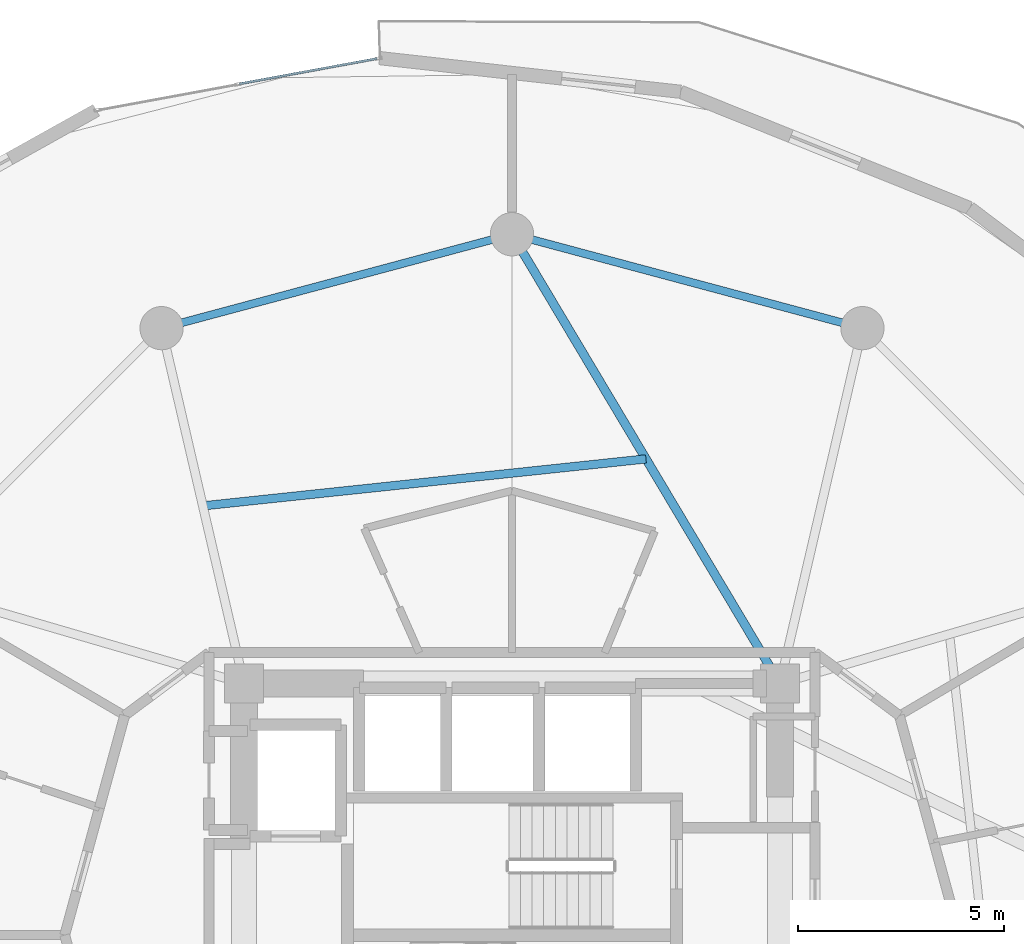
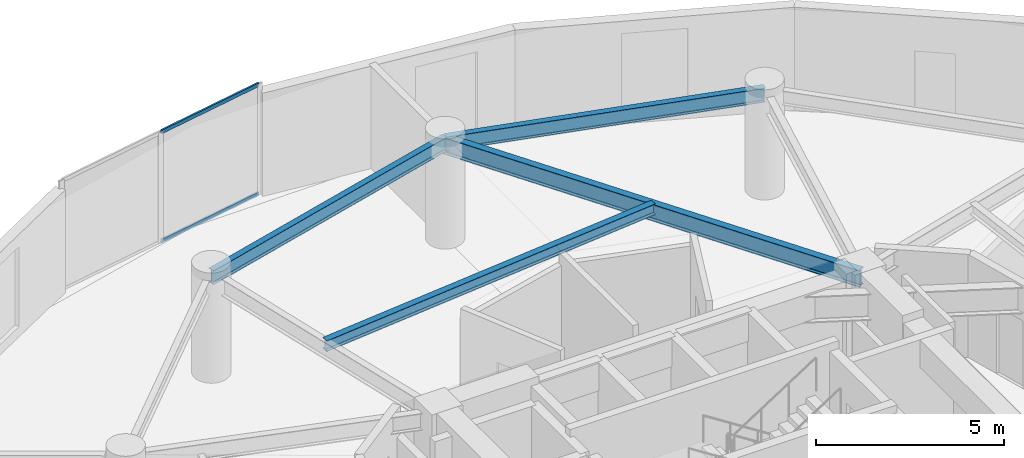
# One storey, part 15 of 23: 4 beams, 2 members, 1 element without a shape of its own.
"""IFC4 building model written with IfcOpenShell, lengths in metres."""

from ifc_helpers import new_model, si_unit, direction, frame, origin, origin_2d, place, context, subcontext, project, spatial, hollow_rectangle, i_section, extrude, source, transform, mapped, material, layer, layer_set, material_profile, profile_set, type_object, element, aggregate, save


model = new_model("IFC4")

# Units and contexts
model_context = context("Model", 3, precision=1e-05, world=origin(), true_north=direction((0.0, 1.0)))
body_context = subcontext(model_context, "Body", "Model", "MODEL_VIEW")
ifc_project = project(units=[si_unit("LENGTHUNIT", "METRE"), si_unit("AREAUNIT", "SQUARE_METRE"), si_unit("VOLUMEUNIT", "CUBIC_METRE"), si_unit("PLANEANGLEUNIT", "RADIAN"), si_unit("MASSUNIT", "GRAM", prefix="KILO")], contexts=[model_context])

# Site, building, storey
site_placement = place(None, origin())
site = spatial("IfcSite", under=ifc_project, at=site_placement, CompositionType="ELEMENT")
building_placement = place(site_placement, origin())
building = spatial("IfcBuilding", under=site, at=building_placement, Name="Solvirekh Grand Hotel", CompositionType="ELEMENT")
storey_placement = place(building_placement, frame((0.0, 0.0, 109.800048828125)))
storey = spatial("IfcBuildingStorey", under=building, at=storey_placement, Name="L27", CompositionType="ELEMENT", Elevation=109.800048828125)

# Beams
ifc_material_1 = material(Name="Steel S355", Category="steel")
ifc_material_profile_1 = material_profile(ifc_material_1, i_section(OverallWidth=0.2119140625, OverallDepth=0.5439453125, WebThickness=0.011962890625, FlangeThickness=0.01904296875, FilletRadius=0.013916015625, at=origin_2d()), Name="W530X123")
ifc_profile_set_1 = profile_set([ifc_material_profile_1], Name="Steel S355")
beam_type_1 = type_object("IfcBeamType", Name="Beam_Radial_W530H", PredefinedType="BEAM", material=ifc_profile_set_1)
beam_1_placement = place(storey_placement, frame((6.5, 6.10009765625, 3.077880859375), z_axis=(-0.512179721377, 0.858878299301, 0.0), x_axis=(-0.858878299301, -0.512179721377, 0.0)))
element("IfcBeam", 1, at=beam_1_placement, inside=storey, type_object=beam_type_1, Name="L27 radial floor beam R04", PredefinedType="BEAM", context=body_context, shape_type="SweptSolid", body=[
    extrude(i_section(OverallWidth=0.2119140625, OverallDepth=0.5439453125, WebThickness=0.011962890625, FlangeThickness=0.01904296875, FilletRadius=0.013916015625, at=origin_2d()), origin(), (0.0, 0.0, 1.0), 12.69091796875),
])
ifc_material_profile_2 = material_profile(ifc_material_1, i_section(OverallWidth=0.2041015625, OverallDepth=0.35009765625, WebThickness=0.009033203125, FlangeThickness=0.014892578125, FilletRadius=0.010986328125, at=origin_2d()), Name="W360X72")
ifc_profile_set_2 = profile_set([ifc_material_profile_2], Name="Steel S355")
beam_type_2 = type_object("IfcBeamType", Name="Joist_Floor_W360", PredefinedType="JOIST", material=ifc_profile_set_2)
beam_2_placement = place(storey_placement, frame((3.25, 11.550048828125, 3.175048828125), z_axis=(-0.994432198761, -0.105378375714, 0.0), x_axis=(0.105378375714, -0.994432198761, 0.0)))
element("IfcBeam", 2, at=beam_2_placement, inside=storey, type_object=beam_type_2, Name="L27 secondary composite floor joist 4", PredefinedType="JOIST", context=body_context, shape_type="SweptSolid", body=[
    extrude(i_section(OverallWidth=0.2041015625, OverallDepth=0.35009765625, WebThickness=0.009033203125, FlangeThickness=0.014892578125, FilletRadius=0.010986328125, at=origin_2d()), origin(), (0.0, 0.0, 1.0), 10.810302734375),
])
ifc_material_profile_3 = material_profile(ifc_material_1, i_section(OverallWidth=0.18994140625, OverallDepth=0.45703125, WebThickness=0.009033203125, FlangeThickness=0.013916015625, FilletRadius=0.012939453125, at=origin_2d()), Name="W460X74")
ifc_profile_set_3 = profile_set([ifc_material_profile_3], Name="Steel S355")
beam_type_3 = type_object("IfcBeamType", Name="Spandrel_Ring_W460", PredefinedType="SPANDREL", material=ifc_profile_set_3)
for number, where, z_axis, x_axis, name in (
    (3, (8.5, 14.721923828125, 3.1220703125), (-0.965911391906, 0.258872908946, 0.0), (-0.258872908946, -0.965911391906, 0.0), "L27 perimeter spandrel beam 3"),
    (4, (0.0, 17.0, 3.1220703125), (-0.965911391906, -0.258872908946, 0.0), (0.258872908946, -0.965911391906, 0.0), "L27 perimeter spandrel beam 4"),
):
    element("IfcBeam", number, at=place(storey_placement, frame(where, z_axis=z_axis, x_axis=x_axis)), inside=storey, type_object=beam_type_3, Name=name, PredefinedType="SPANDREL", context=body_context, shape_type="SweptSolid", body=[
        extrude(i_section(OverallWidth=0.18994140625, OverallDepth=0.45703125, WebThickness=0.009033203125, FlangeThickness=0.013916015625, FilletRadius=0.012939453125, at=origin_2d()), origin(), (0.0, 0.0, 1.0), 8.800048828125),
    ])

# Curtain wall, members
ifc_material_2 = material(Name="Anodized Bronze Aluminium 6063-T6", Category="aluminium")
ifc_layer = layer(ifc_material_2, 0.175048828125)
ifc_layer_set = layer_set([ifc_layer], Name="Anodized Bronze Aluminium 6063-T6")
curtain_wall_type = type_object("IfcCurtainWallType", Name="CW_Sys3_MidZoneFlushBronzeCW", PredefinedType="NOTDEFINED", material=ifc_layer_set)
curtain_wall_placement = place(storey_placement, origin())
curtain_wall = element("IfcCurtainWall", 5, at=curtain_wall_placement, inside=storey, type_object=curtain_wall_type, Name="L27 unitised bronze-glass curtain wall CW-L27-C08", PredefinedType="NOTDEFINED")
ifc_material_profile_4 = material_profile(ifc_material_2, hollow_rectangle(XDim=0.054931640625, YDim=0.1201171875, WallThickness=0.00390625, at=origin_2d()), Name="ALU RHS 120X55X4")
ifc_profile_set_4 = profile_set([ifc_material_profile_4], Name="Anodized Bronze Aluminium 6063-T6")
member_type = type_object("IfcMemberType", Name="CWTransom_Sys3", PredefinedType="USERDEFINED", material=ifc_profile_set_4)
shared_shape = source(origin(), body_context, "Body", "SweptSolid", [
    extrude(hollow_rectangle(XDim=0.054931640625, YDim=0.1201171875, WallThickness=0.00390625, at=origin_2d()), origin(), (0.0, 0.0, 1.0), 3.397216796875),
])
member_1_placement = place(storey_placement, frame((-3.27490234375, 21.26123046875, 0.02734375), z_axis=(-0.983490568923, -0.180959390029, 0.0), x_axis=(0.180959390029, -0.983490568923, 0.0)))
member_1 = element("IfcMember", 6, at=member_1_placement, type_object=member_type, Name="U03 transom 1.1", ObjectType="TRANSOM", PredefinedType="USERDEFINED", context=body_context, shape_type="MappedRepresentation", body=[
    mapped(shared_shape, transform((0.0, 0.0, 0.0), x_axis=(1.0, 0.0, 0.0), y_axis=(0.0, 1.0, 0.0), z_axis=(0.0, 0.0, 1.0), scale=1.0)),
])
member_2_placement = place(storey_placement, frame((-3.27490234375, 21.26123046875, 3.572509765625), z_axis=(-0.983490568923, -0.180959390029, 0.0), x_axis=(0.180959390029, -0.983490568923, 0.0)))
member_2 = element("IfcMember", 7, at=member_2_placement, type_object=member_type, Name="U03 transom 1.2", ObjectType="TRANSOM", PredefinedType="USERDEFINED", context=body_context, shape_type="MappedRepresentation", body=[
    mapped(shared_shape, transform((0.0, 0.0, 0.0), x_axis=(1.0, 0.0, 0.0), y_axis=(0.0, 1.0, 0.0), z_axis=(0.0, 0.0, 1.0), scale=1.0)),
])
aggregate(curtain_wall, [member_1, member_2])

save(model, "model.ifc")
